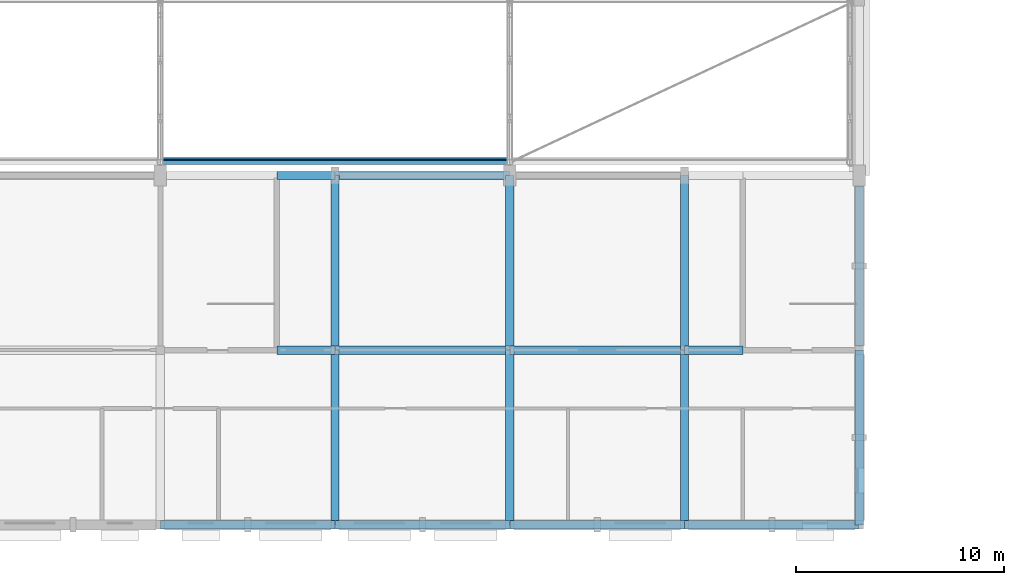
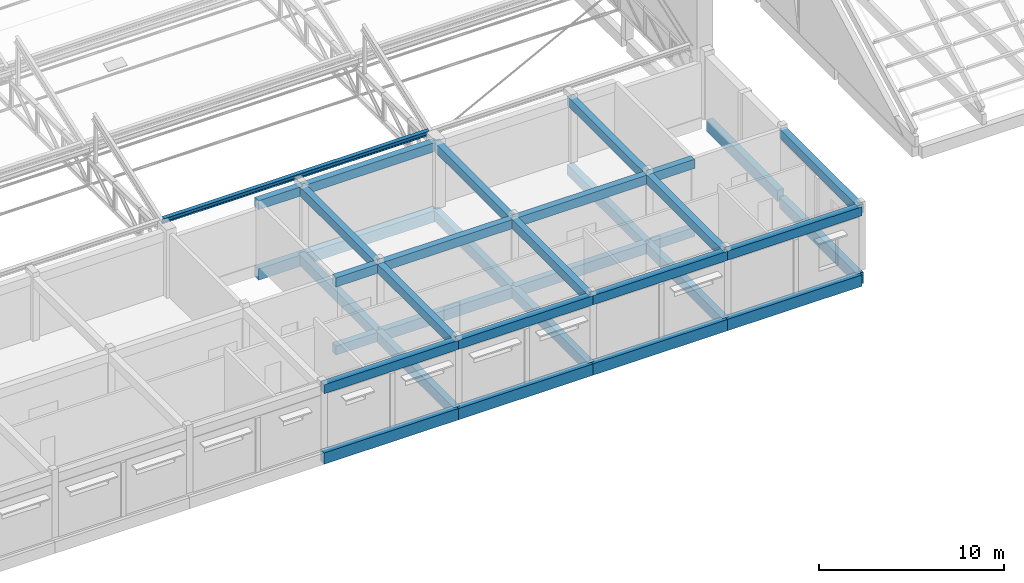
# One storey, part 28 of 101: 35 beams, 1 member.
"""IFC4 building model written with IfcOpenShell, lengths in metres."""

from ifc_helpers import new_model, si_unit, direction, frame, origin, origin_2d, place, context, subcontext, project, spatial, rectangle, i_section, extrude, material, material_profile, profile_set, type_object, element, save


model = new_model("IFC4")

# Units and contexts
model_context = context("Model", 3, precision=1e-05, world=origin(), true_north=direction((0.0, 1.0)))
body_context = subcontext(model_context, "Body", "Model", "MODEL_VIEW")
ifc_project = project(units=[si_unit("LENGTHUNIT", "METRE"), si_unit("AREAUNIT", "SQUARE_METRE"), si_unit("VOLUMEUNIT", "CUBIC_METRE"), si_unit("PLANEANGLEUNIT", "RADIAN"), si_unit("MASSUNIT", "GRAM", prefix="KILO")], contexts=[model_context])

# Site, building, storey
site_placement = place(None, origin())
site = spatial("IfcSite", under=ifc_project, at=site_placement, CompositionType="ELEMENT")
building_placement = place(site_placement, origin())
building = spatial("IfcBuilding", under=site, at=building_placement, Name="Fescue Hill Polytechnic", CompositionType="ELEMENT")
storey_placement = place(building_placement, frame((0.0, 0.0, 9.0)))
storey = spatial("IfcBuildingStorey", under=building, at=storey_placement, Name="L02", CompositionType="ELEMENT", Elevation=9.0)

# Beams
ifc_material_1 = material(Name="Concrete 35 MPa", Category="concrete")
ifc_material_profile_1 = material_profile(ifc_material_1, rectangle(XDim=0.39990234375, YDim=0.60009765625, at=origin_2d()), Name="RC 400x600")
ifc_profile_set_1 = profile_set([ifc_material_profile_1], Name="Concrete 35 MPa")
beam_type_1 = type_object("IfcBeamType", Name="Beam RC 400x600", PredefinedType="BEAM", material=ifc_profile_set_1)
beam_1_placement = place(storey_placement, frame((89.60009765625, 8.39990234375, -0.60009765625), z_axis=(1.0, 0.0, 0.0), x_axis=(0.0, 1.0, 0.0)))
element("IfcBeam", 1, at=beam_1_placement, inside=storey, type_object=beam_type_1, Name="BM-L02-0091", PredefinedType="BEAM", context=body_context, shape_type="SweptSolid", body=[
    extrude(rectangle(XDim=0.39990234375, YDim=0.60009765625, at=origin_2d()), origin(), (0.0, 0.0, 1.0), 2.789794921875),
])
beam_2_placement = place(storey_placement, frame((109.2099609375, 8.39990234375, -0.60009765625), z_axis=(1.0, 0.0, 0.0), x_axis=(0.0, 1.0, 0.0)))
element("IfcBeam", 2, at=beam_2_placement, inside=storey, type_object=beam_type_1, Name="BM-L02-0106", PredefinedType="BEAM", context=body_context, shape_type="SweptSolid", body=[
    extrude(rectangle(XDim=0.39990234375, YDim=0.60009765625, at=origin_2d()), origin(), (0.0, 0.0, 1.0), 2.7900390625),
])
beam_3_placement = place(storey_placement, frame((84.010009765625, 0.0, 3.89990234375), z_axis=(1.0, 0.0, 0.0), x_axis=(0.0, 1.0, 0.0)))
element("IfcBeam", 3, at=beam_3_placement, inside=storey, type_object=beam_type_1, Name="BR-L02-0048", PredefinedType="BEAM", context=body_context, shape_type="SweptSolid", body=[
    extrude(rectangle(XDim=0.39990234375, YDim=0.60009765625, at=origin_2d()), origin(), (0.0, 0.0, 1.0), 8.3798828125),
])
for number, where, z_axis, x_axis, name in (
    (4, (89.60009765625, 8.39990234375, 3.89990234375), (1.0, 0.0, 0.0), (0.0, 1.0, 0.0), "BR-L02-0049"),
    (5, (89.60009765625, 16.800048828125, 3.89990234375), (1.0, 0.0, 0.0), (0.0, 1.0, 0.0), "BR-L02-0050"),
):
    element("IfcBeam", number, at=place(storey_placement, frame(where, z_axis=z_axis, x_axis=x_axis)), inside=storey, type_object=beam_type_1, Name=name, PredefinedType="BEAM", context=body_context, shape_type="SweptSolid", body=[
        extrude(rectangle(XDim=0.39990234375, YDim=0.60009765625, at=origin_2d()), origin(), (0.0, 0.0, 1.0), 2.789794921875),
    ])
beam_4_placement = place(storey_placement, frame((92.39990234375, 0.0, 3.89990234375), z_axis=(0.0, 1.0, 0.0), x_axis=(-1.0, 0.0, 0.0)))
element("IfcBeam", 6, at=beam_4_placement, inside=storey, type_object=beam_type_1, Name="BR-L02-0051", PredefinedType="BEAM", context=body_context, shape_type="SweptSolid", body=[
    extrude(rectangle(XDim=0.39990234375, YDim=0.60009765625, at=origin_2d()), origin(), (0.0, 0.0, 1.0), 8.39990234375),
])
beam_5_placement = place(storey_placement, frame((92.39990234375, 8.39990234375, 3.89990234375), z_axis=(0.0, 1.0, 0.0), x_axis=(-1.0, 0.0, 0.0)))
element("IfcBeam", 7, at=beam_5_placement, inside=storey, type_object=beam_type_1, Name="BR-L02-0052", PredefinedType="BEAM", context=body_context, shape_type="SweptSolid", body=[
    extrude(rectangle(XDim=0.39990234375, YDim=0.60009765625, at=origin_2d()), origin(), (0.0, 0.0, 1.0), 8.400146484375),
])
for number, where, z_axis, x_axis, name in (
    (8, (92.409912109375, 0.0, 3.89990234375), (1.0, 0.0, 0.0), (0.0, 1.0, 0.0), "BR-L02-0053"),
    (9, (92.409912109375, 8.39990234375, 3.89990234375), (1.0, 0.0, 0.0), (0.0, 1.0, 0.0), "BR-L02-0054"),
    (10, (92.409912109375, 16.800048828125, 3.89990234375), (1.0, 0.0, 0.0), (0.0, 1.0, 0.0), "BR-L02-0055"),
):
    element("IfcBeam", number, at=place(storey_placement, frame(where, z_axis=z_axis, x_axis=x_axis)), inside=storey, type_object=beam_type_1, Name=name, PredefinedType="BEAM", context=body_context, shape_type="SweptSolid", body=[
        extrude(rectangle(XDim=0.39990234375, YDim=0.60009765625, at=origin_2d()), origin(), (0.0, 0.0, 1.0), 8.380126953125),
    ])
beam_6_placement = place(storey_placement, frame((100.800048828125, 0.0, 3.89990234375), z_axis=(0.0, 1.0, 0.0), x_axis=(-1.0, 0.0, 0.0)))
element("IfcBeam", 11, at=beam_6_placement, inside=storey, type_object=beam_type_1, Name="BR-L02-0056", PredefinedType="BEAM", context=body_context, shape_type="SweptSolid", body=[
    extrude(rectangle(XDim=0.39990234375, YDim=0.60009765625, at=origin_2d()), origin(), (0.0, 0.0, 1.0), 8.39990234375),
])
beam_7_placement = place(storey_placement, frame((100.800048828125, 8.39990234375, 3.89990234375), z_axis=(0.0, 1.0, 0.0), x_axis=(-1.0, 0.0, 0.0)))
element("IfcBeam", 12, at=beam_7_placement, inside=storey, type_object=beam_type_1, Name="BR-L02-0057", PredefinedType="BEAM", context=body_context, shape_type="SweptSolid", body=[
    extrude(rectangle(XDim=0.39990234375, YDim=0.60009765625, at=origin_2d()), origin(), (0.0, 0.0, 1.0), 8.400146484375),
])
for number, where, z_axis, x_axis, name in (
    (13, (100.81005859375, 0.0, 3.89990234375), (1.0, 0.0, 0.0), (0.0, 1.0, 0.0), "BR-L02-0058"),
    (14, (100.81005859375, 8.39990234375, 3.89990234375), (1.0, 0.0, 0.0), (0.0, 1.0, 0.0), "BR-L02-0059"),
):
    element("IfcBeam", number, at=place(storey_placement, frame(where, z_axis=z_axis, x_axis=x_axis)), inside=storey, type_object=beam_type_1, Name=name, PredefinedType="BEAM", context=body_context, shape_type="SweptSolid", body=[
        extrude(rectangle(XDim=0.39990234375, YDim=0.60009765625, at=origin_2d()), origin(), (0.0, 0.0, 1.0), 8.3798828125),
    ])
beam_8_placement = place(storey_placement, frame((109.199951171875, 0.0, 3.89990234375), z_axis=(0.0, 1.0, 0.0), x_axis=(-1.0, 0.0, 0.0)))
element("IfcBeam", 15, at=beam_8_placement, inside=storey, type_object=beam_type_1, Name="BR-L02-0061", PredefinedType="BEAM", context=body_context, shape_type="SweptSolid", body=[
    extrude(rectangle(XDim=0.39990234375, YDim=0.60009765625, at=origin_2d()), origin(), (0.0, 0.0, 1.0), 8.39990234375),
])
beam_9_placement = place(storey_placement, frame((109.199951171875, 8.39990234375, 3.89990234375), z_axis=(0.0, 1.0, 0.0), x_axis=(-1.0, 0.0, 0.0)))
element("IfcBeam", 16, at=beam_9_placement, inside=storey, type_object=beam_type_1, Name="BR-L02-0062", PredefinedType="BEAM", context=body_context, shape_type="SweptSolid", body=[
    extrude(rectangle(XDim=0.39990234375, YDim=0.60009765625, at=origin_2d()), origin(), (0.0, 0.0, 1.0), 8.400146484375),
])
beam_10_placement = place(storey_placement, frame((109.2099609375, 0.0, 3.89990234375), z_axis=(1.0, 0.0, 0.0), x_axis=(0.0, 1.0, 0.0)))
element("IfcBeam", 17, at=beam_10_placement, inside=storey, type_object=beam_type_1, Name="BR-L02-0063", PredefinedType="BEAM", context=body_context, shape_type="SweptSolid", body=[
    extrude(rectangle(XDim=0.39990234375, YDim=0.60009765625, at=origin_2d()), origin(), (0.0, 0.0, 1.0), 8.380126953125),
])
beam_11_placement = place(storey_placement, frame((109.2099609375, 8.39990234375, 3.89990234375), z_axis=(1.0, 0.0, 0.0), x_axis=(0.0, 1.0, 0.0)))
element("IfcBeam", 18, at=beam_11_placement, inside=storey, type_object=beam_type_1, Name="BR-L02-0064", PredefinedType="BEAM", context=body_context, shape_type="SweptSolid", body=[
    extrude(rectangle(XDim=0.39990234375, YDim=0.60009765625, at=origin_2d()), origin(), (0.0, 0.0, 1.0), 2.7900390625),
])
beam_12_placement = place(storey_placement, frame((117.60009765625, 0.0, 3.89990234375), z_axis=(0.0, 1.0, 0.0), x_axis=(-1.0, 0.0, 0.0)))
element("IfcBeam", 19, at=beam_12_placement, inside=storey, type_object=beam_type_1, Name="BR-L02-0066", PredefinedType="BEAM", context=body_context, shape_type="SweptSolid", body=[
    extrude(rectangle(XDim=0.39990234375, YDim=0.60009765625, at=origin_2d()), origin(), (0.0, 0.0, 1.0), 8.39990234375),
])
ifc_material_profile_2 = material_profile(ifc_material_1, rectangle(XDim=0.39990234375, YDim=0.699951171875, at=origin_2d()), Name="RC 400x700")
ifc_profile_set_2 = profile_set([ifc_material_profile_2], Name="Concrete 35 MPa")
beam_type_2 = type_object("IfcBeamType", Name="Beam RC 400x700", PredefinedType="BEAM", material=ifc_profile_set_2)
beam_13_placement = place(storey_placement, frame((92.39990234375, 0.0, -0.64990234375), z_axis=(0.0, 1.0, 0.0), x_axis=(-1.0, 0.0, 0.0)))
element("IfcBeam", 20, at=beam_13_placement, inside=storey, type_object=beam_type_2, Name="BM-L02-0093", PredefinedType="BEAM", context=body_context, shape_type="SweptSolid", body=[
    extrude(rectangle(XDim=0.39990234375, YDim=0.699951171875, at=origin_2d()), origin(), (0.0, 0.0, 1.0), 8.39990234375),
])
beam_14_placement = place(storey_placement, frame((92.39990234375, 8.39990234375, -0.64990234375), z_axis=(0.0, 1.0, 0.0), x_axis=(-1.0, 0.0, 0.0)))
element("IfcBeam", 21, at=beam_14_placement, inside=storey, type_object=beam_type_2, Name="BM-L02-0094", PredefinedType="BEAM", context=body_context, shape_type="SweptSolid", body=[
    extrude(rectangle(XDim=0.39990234375, YDim=0.699951171875, at=origin_2d()), origin(), (0.0, 0.0, 1.0), 8.400146484375),
])
beam_15_placement = place(storey_placement, frame((92.409912109375, 8.39990234375, -0.64990234375), z_axis=(1.0, 0.0, 0.0), x_axis=(0.0, 1.0, 0.0)))
element("IfcBeam", 22, at=beam_15_placement, inside=storey, type_object=beam_type_2, Name="BM-L02-0096", PredefinedType="BEAM", context=body_context, shape_type="SweptSolid", body=[
    extrude(rectangle(XDim=0.39990234375, YDim=0.699951171875, at=origin_2d()), origin(), (0.0, 0.0, 1.0), 8.380126953125),
])
beam_16_placement = place(storey_placement, frame((100.800048828125, 0.0, -0.64990234375), z_axis=(0.0, 1.0, 0.0), x_axis=(-1.0, 0.0, 0.0)))
element("IfcBeam", 23, at=beam_16_placement, inside=storey, type_object=beam_type_2, Name="BM-L02-0098", PredefinedType="BEAM", context=body_context, shape_type="SweptSolid", body=[
    extrude(rectangle(XDim=0.39990234375, YDim=0.699951171875, at=origin_2d()), origin(), (0.0, 0.0, 1.0), 8.39990234375),
])
beam_17_placement = place(storey_placement, frame((100.800048828125, 8.39990234375, -0.64990234375), z_axis=(0.0, 1.0, 0.0), x_axis=(-1.0, 0.0, 0.0)))
element("IfcBeam", 24, at=beam_17_placement, inside=storey, type_object=beam_type_2, Name="BM-L02-0099", PredefinedType="BEAM", context=body_context, shape_type="SweptSolid", body=[
    extrude(rectangle(XDim=0.39990234375, YDim=0.699951171875, at=origin_2d()), origin(), (0.0, 0.0, 1.0), 8.400146484375),
])
beam_18_placement = place(storey_placement, frame((100.81005859375, 8.39990234375, -0.64990234375), z_axis=(1.0, 0.0, 0.0), x_axis=(0.0, 1.0, 0.0)))
element("IfcBeam", 25, at=beam_18_placement, inside=storey, type_object=beam_type_2, Name="BM-L02-0101", PredefinedType="BEAM", context=body_context, shape_type="SweptSolid", body=[
    extrude(rectangle(XDim=0.39990234375, YDim=0.699951171875, at=origin_2d()), origin(), (0.0, 0.0, 1.0), 8.3798828125),
])
beam_19_placement = place(storey_placement, frame((109.199951171875, 0.0, -0.64990234375), z_axis=(0.0, 1.0, 0.0), x_axis=(-1.0, 0.0, 0.0)))
element("IfcBeam", 26, at=beam_19_placement, inside=storey, type_object=beam_type_2, Name="BM-L02-0103", PredefinedType="BEAM", context=body_context, shape_type="SweptSolid", body=[
    extrude(rectangle(XDim=0.39990234375, YDim=0.699951171875, at=origin_2d()), origin(), (0.0, 0.0, 1.0), 8.39990234375),
])
beam_20_placement = place(storey_placement, frame((109.199951171875, 8.39990234375, -0.64990234375), z_axis=(0.0, 1.0, 0.0), x_axis=(-1.0, 0.0, 0.0)))
element("IfcBeam", 27, at=beam_20_placement, inside=storey, type_object=beam_type_2, Name="BM-L02-0104", PredefinedType="BEAM", context=body_context, shape_type="SweptSolid", body=[
    extrude(rectangle(XDim=0.39990234375, YDim=0.699951171875, at=origin_2d()), origin(), (0.0, 0.0, 1.0), 8.400146484375),
])
ifc_material_profile_3 = material_profile(ifc_material_1, rectangle(XDim=0.39990234375, YDim=0.75, at=origin_2d()), Name="RC 400x750")
ifc_profile_set_3 = profile_set([ifc_material_profile_3], Name="Concrete 35 MPa")
beam_type_3 = type_object("IfcBeamType", Name="Beam RC 400x750", PredefinedType="BEAM", material=ifc_profile_set_3)
beam_21_placement = place(storey_placement, frame((84.010009765625, 0.0, -0.675048828125), z_axis=(1.0, 0.0, 0.0), x_axis=(0.0, 1.0, 0.0)))
element("IfcBeam", 28, at=beam_21_placement, inside=storey, type_object=beam_type_3, Name="BM-L02-0090", PredefinedType="BEAM", context=body_context, shape_type="SweptSolid", body=[
    extrude(rectangle(XDim=0.39990234375, YDim=0.75, at=origin_2d()), origin(), (0.0, 0.0, 1.0), 8.3798828125),
])
beam_22_placement = place(storey_placement, frame((89.60009765625, 16.800048828125, -0.675048828125), z_axis=(1.0, 0.0, 0.0), x_axis=(0.0, 1.0, 0.0)))
element("IfcBeam", 29, at=beam_22_placement, inside=storey, type_object=beam_type_3, Name="BM-L02-0092", PredefinedType="BEAM", context=body_context, shape_type="SweptSolid", body=[
    extrude(rectangle(XDim=0.39990234375, YDim=0.75, at=origin_2d()), origin(), (0.0, 0.0, 1.0), 2.789794921875),
])
for number, where, z_axis, x_axis, name in (
    (30, (92.409912109375, 0.0, -0.675048828125), (1.0, 0.0, 0.0), (0.0, 1.0, 0.0), "BM-L02-0095"),
    (31, (92.409912109375, 16.800048828125, -0.675048828125), (1.0, 0.0, 0.0), (0.0, 1.0, 0.0), "BM-L02-0097"),
):
    element("IfcBeam", number, at=place(storey_placement, frame(where, z_axis=z_axis, x_axis=x_axis)), inside=storey, type_object=beam_type_3, Name=name, PredefinedType="BEAM", context=body_context, shape_type="SweptSolid", body=[
        extrude(rectangle(XDim=0.39990234375, YDim=0.75, at=origin_2d()), origin(), (0.0, 0.0, 1.0), 8.380126953125),
    ])
beam_23_placement = place(storey_placement, frame((100.81005859375, 0.0, -0.675048828125), z_axis=(1.0, 0.0, 0.0), x_axis=(0.0, 1.0, 0.0)))
element("IfcBeam", 32, at=beam_23_placement, inside=storey, type_object=beam_type_3, Name="BM-L02-0100", PredefinedType="BEAM", context=body_context, shape_type="SweptSolid", body=[
    extrude(rectangle(XDim=0.39990234375, YDim=0.75, at=origin_2d()), origin(), (0.0, 0.0, 1.0), 8.3798828125),
])
beam_24_placement = place(storey_placement, frame((109.2099609375, 0.0, -0.675048828125), z_axis=(1.0, 0.0, 0.0), x_axis=(0.0, 1.0, 0.0)))
element("IfcBeam", 33, at=beam_24_placement, inside=storey, type_object=beam_type_3, Name="BM-L02-0105", PredefinedType="BEAM", context=body_context, shape_type="SweptSolid", body=[
    extrude(rectangle(XDim=0.39990234375, YDim=0.75, at=origin_2d()), origin(), (0.0, 0.0, 1.0), 8.380126953125),
])
beam_25_placement = place(storey_placement, frame((117.60009765625, 0.0, -0.675048828125), z_axis=(0.0, 1.0, 0.0), x_axis=(-1.0, 0.0, 0.0)))
element("IfcBeam", 34, at=beam_25_placement, inside=storey, type_object=beam_type_3, Name="BM-L02-0108", PredefinedType="BEAM", context=body_context, shape_type="SweptSolid", body=[
    extrude(rectangle(XDim=0.39990234375, YDim=0.75, at=origin_2d()), origin(), (0.0, 0.0, 1.0), 8.39990234375),
])
beam_26_placement = place(storey_placement, frame((117.60009765625, 8.60009765625, -0.375), z_axis=(0.0, 1.0, 0.0), x_axis=(-1.0, 0.0, 0.0)))
element("IfcBeam", 35, at=beam_26_placement, inside=storey, type_object=beam_type_3, Name="BM-L02-0173", PredefinedType="BEAM", context=body_context, shape_type="SweptSolid", body=[
    extrude(rectangle(XDim=0.39990234375, YDim=0.75, at=origin_2d()), origin(), (0.0, 0.0, 1.0), 7.699951171875),
])

# Member
ifc_material_2 = material(Name="Steel 350W (350 MPa)", Category="steel")
ifc_material_profile_4 = material_profile(ifc_material_2, i_section(OverallWidth=0.18994140625, OverallDepth=0.45703125, WebThickness=0.009033203125, FlangeThickness=0.014404296875, FilletRadius=0.0166015625, at=origin_2d()), Name="W460x74")
ifc_profile_set_4 = profile_set([ifc_material_profile_4], Name="Steel 350W (350 MPa)")
member_type = type_object("IfcMemberType", Name="Tooth purlin W460x74", PredefinedType="PURLIN", material=ifc_profile_set_4)
member_placement = place(storey_placement, frame((84.1044921875, 17.5, 4.294921875), z_axis=(1.0, 0.0, 0.0), x_axis=(0.0, 0.941741911595, 0.336336396997)))
element("IfcMember", 36, at=member_placement, inside=storey, type_object=member_type, Name="Tooth 1 purlin 1 bay 6", PredefinedType="PURLIN", context=body_context, shape_type="SweptSolid", body=[
    extrude(i_section(OverallWidth=0.18994140625, OverallDepth=0.45703125, WebThickness=0.009033203125, FlangeThickness=0.014404296875, FilletRadius=0.0166015625, at=origin_2d()), origin(), (0.0, 0.0, 1.0), 16.591064453125),
])

save(model, "model.ifc")
